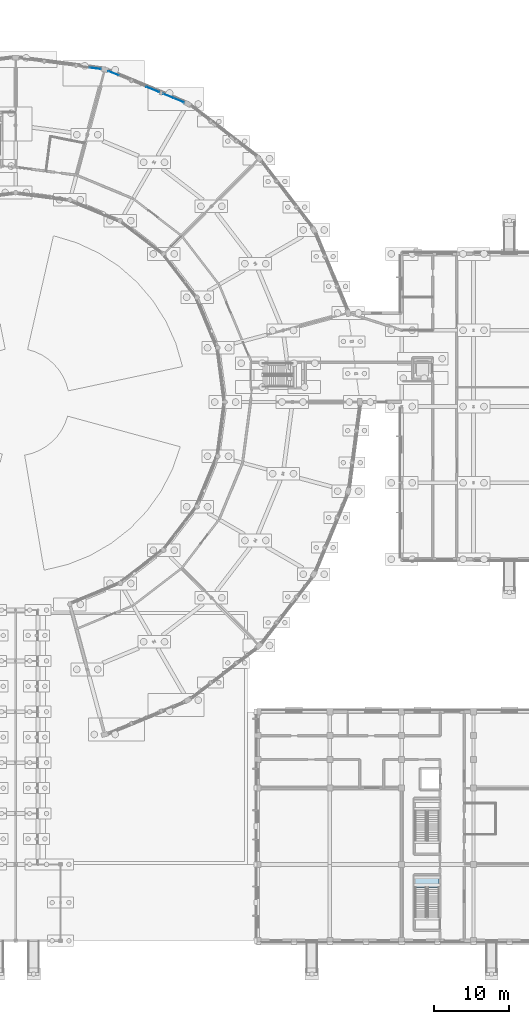
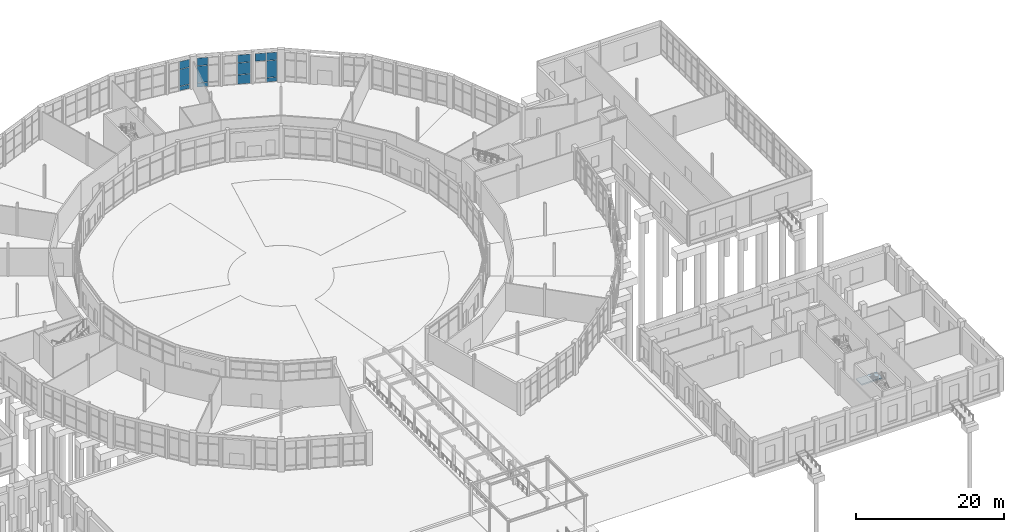
# One storey, part 92 of 137: 13 plates, 1 slab, 5 elements without a shape of their own.
"""IFC4 building model written with IfcOpenShell, lengths in metres."""

from ifc_helpers import new_model, si_unit, direction, frame, origin, origin_2d, place, context, subcontext, project, spatial, polyline, rectangle, outline, extrude, material, layer, layer_set, type_object, element, aggregate, save


model = new_model("IFC4")

# Units and contexts
model_context = context("Model", 3, precision=1e-05, world=origin(), true_north=direction((0.0, 1.0)))
body_context = subcontext(model_context, "Body", "Model", "MODEL_VIEW")
ifc_project = project(units=[si_unit("LENGTHUNIT", "METRE"), si_unit("AREAUNIT", "SQUARE_METRE"), si_unit("VOLUMEUNIT", "CUBIC_METRE"), si_unit("PLANEANGLEUNIT", "RADIAN"), si_unit("MASSUNIT", "GRAM", prefix="KILO")], contexts=[model_context])

# Site, building, storey
site_placement = place(None, origin())
site = spatial("IfcSite", under=ifc_project, at=site_placement, CompositionType="ELEMENT")
building_placement = place(site_placement, origin())
building = spatial("IfcBuilding", under=site, at=building_placement, Name="Vondelvale Polytechnic", CompositionType="ELEMENT")
storey_placement = place(building_placement, origin())
storey = spatial("IfcBuildingStorey", under=building, at=storey_placement, Name="L00", CompositionType="ELEMENT", Elevation=0.0)

# Curtain wall, plates
ifc_material_1 = material(Name="Glulam GL18 structural Tasmanian oak (fb = 42 MPa)", Category="wood")
curtain_wall_type = type_object("IfcCurtainWallType", Name="CW-RING-OUTER", PredefinedType="NOTDEFINED", material=ifc_material_1)
curtain_wall_1_placement = place(storey_placement, origin())
curtain_wall_1 = element("IfcCurtainWall", 1, at=curtain_wall_1_placement, inside=storey, type_object=curtain_wall_type, Name="L00 architectural curtain wall CW-04-112", PredefinedType="NOTDEFINED")
ifc_material_2 = material(Name="Double-glazed low-E insulated architectural glass", Category="glass")
ifc_layer_1 = layer(ifc_material_2, 0.028076171875)
ifc_layer_set_1 = layer_set([ifc_layer_1], Name="CW-PANEL-GLAZED")
plate_type_1 = type_object("IfcPlateType", Name="CW-PANEL-GLAZED", PredefinedType="CURTAIN_PANEL", material=ifc_layer_set_1)
plate_1_placement = place(storey_placement, frame((123.821044921875, 112.325439453125, 0.77978515625), z_axis=(0.0, 0.0, 1.0), x_axis=(-0.92388135159, 0.382679040691, 0.0)))
plate_1 = element("IfcPlate", 2, at=plate_1_placement, type_object=plate_type_1, Name="CW-04-112 panel 1.2", PredefinedType="CURTAIN_PANEL", context=body_context, shape_type="SweptSolid", body=[
    extrude(rectangle(XDim=1.454345703125, YDim=0.028076171875, at=origin_2d()), origin(), (0.0, 0.0, 1.0), 2.760009765625),
])
plate_2_placement = place(storey_placement, frame((123.821044921875, 112.325439453125, 3.60009765625), z_axis=(0.0, 0.0, 1.0), x_axis=(-0.92388135159, 0.382679040691, 0.0)))
plate_2 = element("IfcPlate", 3, at=plate_2_placement, type_object=plate_type_1, Name="CW-04-112 panel 1.3", PredefinedType="CURTAIN_PANEL", context=body_context, shape_type="SweptSolid", body=[
    extrude(rectangle(XDim=1.454345703125, YDim=0.028076171875, at=origin_2d()), origin(), (0.0, 0.0, 1.0), 1.260009765625),
])
plate_3_placement = place(storey_placement, frame((122.417236328125, 112.906982421875, 3.60009765625), z_axis=(0.0, 0.0, 1.0), x_axis=(-0.92388135159, 0.382679040691, 0.0)))
plate_3 = element("IfcPlate", 4, at=plate_3_placement, type_object=plate_type_1, Name="CW-04-112 panel 2.3", PredefinedType="CURTAIN_PANEL", context=body_context, shape_type="SweptSolid", body=[
    extrude(rectangle(XDim=1.454345703125, YDim=0.028076171875, at=origin_2d()), origin(), (0.0, 0.0, 1.0), 1.260009765625),
])

curtain_wall_2_placement = place(storey_placement, origin())
curtain_wall_2 = element("IfcCurtainWall", 5, at=curtain_wall_2_placement, inside=storey, type_object=curtain_wall_type, Name="L00 architectural curtain wall CW-04-114", PredefinedType="NOTDEFINED")
plate_4_placement = place(storey_placement, frame((115.084716796875, 115.9443359375, 0.77978515625), z_axis=(0.0, 0.0, 1.0), x_axis=(-0.92388135159, 0.382679040691, 0.0)))
plate_4 = element("IfcPlate", 6, at=plate_4_placement, type_object=plate_type_1, Name="CW-04-114 panel 2.2", PredefinedType="CURTAIN_PANEL", context=body_context, shape_type="SweptSolid", body=[
    extrude(rectangle(XDim=1.454345703125, YDim=0.028076171875, at=origin_2d()), origin(), (0.0, 0.0, 1.0), 2.760009765625),
])
plate_5_placement = place(storey_placement, frame((115.084716796875, 115.9443359375, 3.60009765625), z_axis=(0.0, 0.0, 1.0), x_axis=(-0.92388135159, 0.382679040691, 0.0)))
plate_5 = element("IfcPlate", 7, at=plate_5_placement, type_object=plate_type_1, Name="CW-04-114 panel 2.3", PredefinedType="CURTAIN_PANEL", context=body_context, shape_type="SweptSolid", body=[
    extrude(rectangle(XDim=1.454345703125, YDim=0.028076171875, at=origin_2d()), origin(), (0.0, 0.0, 1.0), 1.260009765625),
])

curtain_wall_3_placement = place(storey_placement, origin())
curtain_wall_3 = element("IfcCurtainWall", 8, at=curtain_wall_3_placement, inside=storey, type_object=curtain_wall_type, Name="L00 architectural curtain wall CW-04-132", PredefinedType="NOTDEFINED")
plate_6_placement = place(storey_placement, frame((112.640380859375, 116.59912109375, 0.77978515625), z_axis=(0.0, 0.0, 1.0), x_axis=(-0.991445190781, 0.130523690099, 0.0)))
plate_6 = element("IfcPlate", 9, at=plate_6_placement, type_object=plate_type_1, Name="CW-04-132 panel 1.2", PredefinedType="CURTAIN_PANEL", context=body_context, shape_type="SweptSolid", body=[
    extrude(rectangle(XDim=1.454345703125, YDim=0.028076171875, at=origin_2d()), origin(), (0.0, 0.0, 1.0), 2.760009765625),
])
plate_7_placement = place(storey_placement, frame((112.640380859375, 116.59912109375, 3.60009765625), z_axis=(0.0, 0.0, 1.0), x_axis=(-0.991445190781, 0.130523690099, 0.0)))
plate_7 = element("IfcPlate", 10, at=plate_7_placement, type_object=plate_type_1, Name="CW-04-132 panel 1.3", PredefinedType="CURTAIN_PANEL", context=body_context, shape_type="SweptSolid", body=[
    extrude(rectangle(XDim=1.454345703125, YDim=0.028076171875, at=origin_2d()), origin(), (0.0, 0.0, 1.0), 1.260009765625),
])

curtain_wall_4_placement = place(storey_placement, origin())
curtain_wall_4 = element("IfcCurtainWall", 11, at=curtain_wall_4_placement, inside=storey, type_object=curtain_wall_type, Name="L00 architectural curtain wall CW-04-113", PredefinedType="NOTDEFINED")
ifc_material_3 = material(Name="Engineered Tasmanian oak studio and bridge joinery")
ifc_layer_2 = layer(ifc_material_3, 0.0419921875)
ifc_layer_set_2 = layer_set([ifc_layer_2], Name="CW-PANEL-OAK")
plate_type_2 = type_object("IfcPlateType", Name="CW-PANEL-OAK", PredefinedType="CURTAIN_PANEL", material=ifc_layer_set_2)
plate_8_placement = place(storey_placement, frame((120.318603515625, 113.7763671875, 0.06005859375), z_axis=(0.0, 0.0, 1.0), x_axis=(-0.92387490701, 0.382694599123, 0.0)))
plate_8 = element("IfcPlate", 12, at=plate_8_placement, type_object=plate_type_2, Name="CW-04-113 panel 1.1", PredefinedType="CURTAIN_PANEL", context=body_context, shape_type="SweptSolid", body=[
    extrude(rectangle(XDim=1.80908203125, YDim=0.0419921875, at=origin_2d()), origin(), (0.0, 0.0, 1.0), 1.510009765625),
])
plate_9_placement = place(storey_placement, frame((120.318603515625, 113.7763671875, 1.6298828125), z_axis=(0.0, 0.0, 1.0), x_axis=(-0.92387490701, 0.382694599123, 0.0)))
plate_9 = element("IfcPlate", 13, at=plate_9_placement, type_object=plate_type_2, Name="CW-04-113 panel 1.2", PredefinedType="CURTAIN_PANEL", context=body_context, shape_type="SweptSolid", body=[
    extrude(rectangle(XDim=1.80908203125, YDim=0.0419921875, at=origin_2d()), origin(), (0.0, 0.0, 1.0), 1.909912109375),
])
plate_10_placement = place(storey_placement, frame((120.318603515625, 113.7763671875, 3.60009765625), z_axis=(0.0, 0.0, 1.0), x_axis=(-0.92387490701, 0.382694599123, 0.0)))
plate_10 = element("IfcPlate", 14, at=plate_10_placement, type_object=plate_type_2, Name="CW-04-113 panel 1.3", PredefinedType="CURTAIN_PANEL", context=body_context, shape_type="SweptSolid", body=[
    extrude(rectangle(XDim=1.80908203125, YDim=0.0419921875, at=origin_2d()), origin(), (0.0, 0.0, 1.0), 1.260009765625),
])
aggregate(curtain_wall_4, [plate_8, plate_9, plate_10])

# Plate
ifc_material_4 = material(Name="Kiln-fired architectural terracotta", Category="masonry")
ifc_layer_3 = layer(ifc_material_4, 0.035888671875)
ifc_layer_set_3 = layer_set([ifc_layer_3], Name="CW-PANEL-SPANDREL")
plate_type_3 = type_object("IfcPlateType", Name="CW-PANEL-SPANDREL", PredefinedType="CURTAIN_PANEL", material=ifc_layer_set_3)
plate_11_placement = place(storey_placement, frame((123.821044921875, 112.325439453125, 0.06005859375), z_axis=(0.0, 0.0, 1.0), x_axis=(-0.92388135159, 0.382679040691, 0.0)))
plate_11 = element("IfcPlate", 15, at=plate_11_placement, type_object=plate_type_3, Name="CW-04-112 panel 1.1", PredefinedType="CURTAIN_PANEL", context=body_context, shape_type="SweptSolid", body=[
    extrude(rectangle(XDim=1.454345703125, YDim=0.035888671875, at=origin_2d()), origin(), (0.0, 0.0, 1.0), 0.659912109375),
])

aggregate(curtain_wall_1, [plate_11, plate_1, plate_2, plate_3])

plate_12_placement = place(storey_placement, frame((115.084716796875, 115.9443359375, 0.06005859375), z_axis=(0.0, 0.0, 1.0), x_axis=(-0.92388135159, 0.382679040691, 0.0)))
plate_12 = element("IfcPlate", 16, at=plate_12_placement, type_object=plate_type_3, Name="CW-04-114 panel 2.1", PredefinedType="CURTAIN_PANEL", context=body_context, shape_type="SweptSolid", body=[
    extrude(rectangle(XDim=1.454345703125, YDim=0.035888671875, at=origin_2d()), origin(), (0.0, 0.0, 1.0), 0.659912109375),
])

aggregate(curtain_wall_2, [plate_12, plate_4, plate_5])

plate_13_placement = place(storey_placement, frame((112.640380859375, 116.59912109375, 0.06005859375), z_axis=(0.0, 0.0, 1.0), x_axis=(-0.991445190781, 0.130523690099, 0.0)))
plate_13 = element("IfcPlate", 17, at=plate_13_placement, type_object=plate_type_3, Name="CW-04-132 panel 1.1", PredefinedType="CURTAIN_PANEL", context=body_context, shape_type="SweptSolid", body=[
    extrude(rectangle(XDim=1.454345703125, YDim=0.035888671875, at=origin_2d()), origin(), (0.0, 0.0, 1.0), 0.659912109375),
])

aggregate(curtain_wall_3, [plate_13, plate_6, plate_7])

# Stair, slab
ifc_material_5 = material(Name="Concrete N40 (f'c = 40 MPa)", Category="concrete")
stair_type = type_object("IfcStairType", Name="STR-DOG-1500", PredefinedType="HALF_TURN_STAIR", material=ifc_material_5)
stair_placement = place(storey_placement, origin())
stair = element("IfcStair", 18, at=stair_placement, inside=storey, type_object=stair_type, Name="L00 ST-06", PredefinedType="HALF_TURN_STAIR")
ifc_layer_4 = layer(ifc_material_5, 0.199951171875)
ifc_layer_set_4 = layer_set([ifc_layer_4], Name="SLB-LANDING-200")
slab_type = type_object("IfcSlabType", Name="SLB-LANDING-200", PredefinedType="LANDING", material=ifc_layer_set_4)
slab_placement = place(storey_placement, frame((0.0, 0.0, 2.5)))
slab = element("IfcSlab", 19, at=slab_placement, type_object=slab_type, Name="ST-06 landing 1", PredefinedType="LANDING", context=body_context, shape_type="SweptSolid", body=[
    extrude(outline(polyline([(158.60009765625, 7.139892578125), (158.60009765625, 8.699951171875), (155.39990234375, 8.699951171875), (155.39990234375, 7.139892578125), (158.60009765625, 7.139892578125)])), origin(), (0.0, 0.0, 1.0), 0.199951171875),
])
aggregate(stair, [slab])

save(model, "model.ifc")
